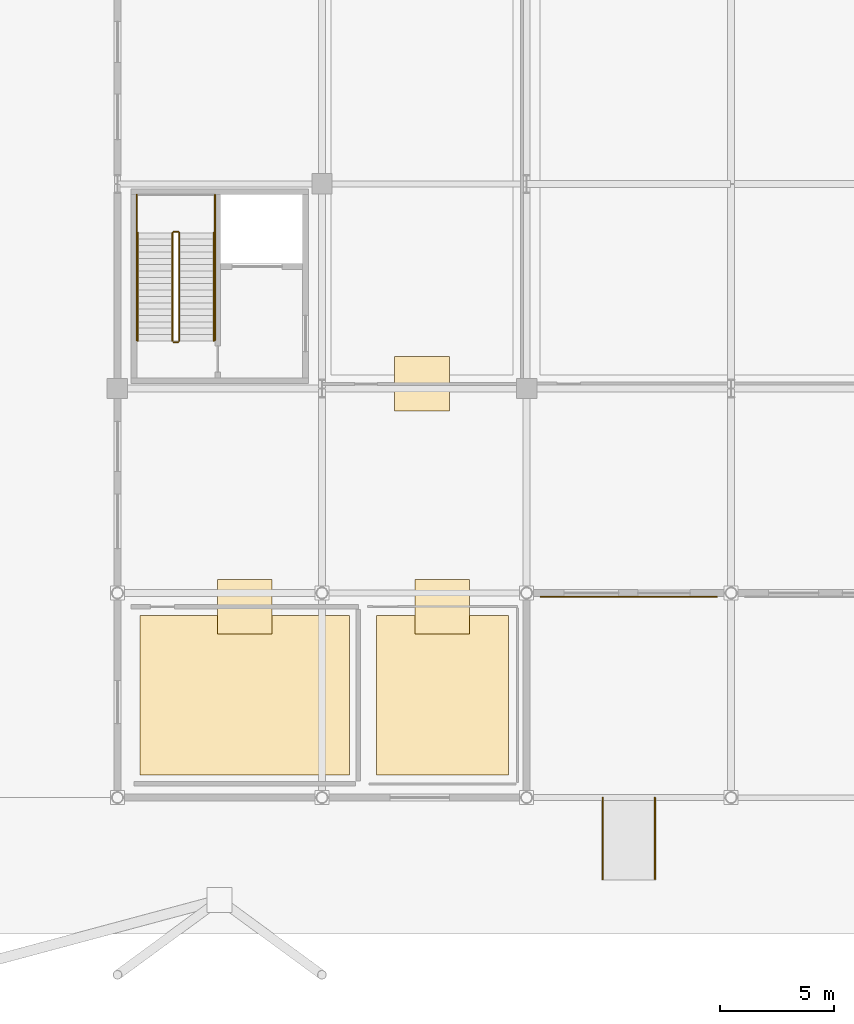
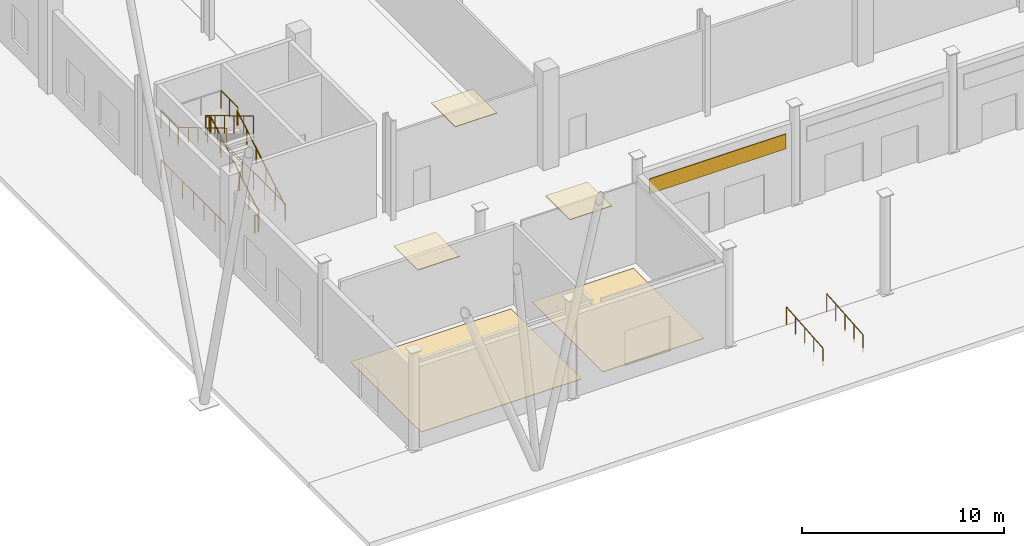
# One storey, part 42 of 58: 12 railings, 6 coverings.
"""IFC4 building model written with IfcOpenShell, lengths in metres."""

from ifc_helpers import new_model, si_unit, direction, frame, origin, origin_2d, place, context, subcontext, project, spatial, polyline, rectangle, circle, outline, extrude, material, layer, layer_set, type_object, element, save


model = new_model("IFC4")

# Units and contexts
model_context = context("Model", 3, precision=1e-05, world=origin(), true_north=direction((0.0, 1.0)))
body_context = subcontext(model_context, "Body", "Model", "MODEL_VIEW")
ifc_project = project(units=[si_unit("LENGTHUNIT", "METRE"), si_unit("AREAUNIT", "SQUARE_METRE"), si_unit("VOLUMEUNIT", "CUBIC_METRE"), si_unit("PLANEANGLEUNIT", "RADIAN"), si_unit("MASSUNIT", "GRAM", prefix="KILO")], contexts=[model_context])

# Site, building, storey
site_placement = place(None, origin())
site = spatial("IfcSite", under=ifc_project, at=site_placement, CompositionType="ELEMENT")
building_placement = place(site_placement, origin())
building = spatial("IfcBuilding", under=site, at=building_placement, Name="Barlavento Convention Centre", CompositionType="ELEMENT")
storey_placement = place(building_placement, origin())
storey = spatial("IfcBuildingStorey", under=building, at=storey_placement, Name="L00", CompositionType="ELEMENT", Elevation=0.0)

# Coverings
ifc_material_1 = material(Name="Perforated mineral-fibre acoustic board")
ifc_layer_1 = layer(ifc_material_1, 0.0400390625)
ifc_layer_set_1 = layer_set([ifc_layer_1], Name="ARC-COV-CEIL-ACOU")
covering_type_1 = type_object("IfcCoveringType", Name="ARC-COV-CEIL-ACOU", PredefinedType="CEILING", material=ifc_layer_set_1)
covering_1_placement = place(storey_placement, frame((0.0, 0.0, 4.85009765625)))
element("IfcCovering", 1, at=covering_1_placement, inside=storey, type_object=covering_type_1, Name="L00 acoustic ceiling panel", PredefinedType="CEILING", context=body_context, shape_type="SweptSolid", body=[
    extrude(outline(polyline([(4.39990234375, 7.199951171875), (6.800048828125, 7.199951171875), (6.800048828125, 9.60009765625), (4.39990234375, 9.60009765625), (4.39990234375, 7.199951171875)])), origin(), (0.0, 0.0, 1.0), 0.039794921875),
])
covering_2_placement = place(storey_placement, frame((0.0, 0.0, 4.85009765625)))
element("IfcCovering", 2, at=covering_2_placement, inside=storey, type_object=covering_type_1, Name="L00 acoustic ceiling panel", PredefinedType="CEILING", context=body_context, shape_type="SweptSolid", body=[
    extrude(outline(polyline([(13.10009765625, 7.199951171875), (15.5, 7.199951171875), (15.5, 9.60009765625), (13.10009765625, 9.60009765625), (13.10009765625, 7.199951171875)])), origin(), (0.0, 0.0, 1.0), 0.039794921875),
])
covering_3_placement = place(storey_placement, frame((0.0, 0.0, 4.85009765625)))
element("IfcCovering", 3, at=covering_3_placement, inside=storey, type_object=covering_type_1, Name="L00 acoustic ceiling panel", PredefinedType="CEILING", context=body_context, shape_type="SweptSolid", body=[
    extrude(outline(polyline([(12.199951171875, 17.0), (14.60009765625, 17.0), (14.60009765625, 19.39990234375), (12.199951171875, 19.39990234375), (12.199951171875, 17.0)])), origin(), (0.0, 0.0, 1.0), 0.039794921875),
])
ifc_material_2 = material(Name="Macau dark grey granite cladding", Category="masonry")
ifc_layer_2 = layer(ifc_material_2, 0.050048828125)
ifc_layer_set_2 = layer_set([ifc_layer_2], Name="ARC-COV-CLAD-GRANITE")
covering_type_2 = type_object("IfcCoveringType", Name="ARC-COV-CLAD-GRANITE", PredefinedType="CLADDING", material=ifc_layer_set_2)
covering_4_placement = place(storey_placement, frame((22.5, 8.830078125, 3.550048828125), z_axis=(0.0, 0.0, 1.0), x_axis=(1.0, 0.0, 0.0)))
element("IfcCovering", 4, at=covering_4_placement, inside=storey, type_object=covering_type_2, Name="Macau granite plinth cladding panel", PredefinedType="CLADDING", context=body_context, shape_type="SweptSolid", body=[
    extrude(rectangle(XDim=7.800048828125, YDim=0.050048828125, at=origin_2d()), origin(), (0.0, 0.0, 1.0), 0.89990234375),
])
ifc_material_3 = material(Name="Honed granite concourse stone flooring", Category="masonry")
ifc_layer_3 = layer(ifc_material_3, 0.030029296875)
ifc_layer_set_3 = layer_set([ifc_layer_3], Name="ARC-COV-FLR-STONE")
covering_type_3 = type_object("IfcCoveringType", Name="ARC-COV-FLR-STONE", PredefinedType="FLOORING", material=ifc_layer_set_3)
covering_5_placement = place(storey_placement, origin())
element("IfcCovering", 5, at=covering_5_placement, inside=storey, type_object=covering_type_3, Name="L00 honed stone floor finish", PredefinedType="FLOORING", context=body_context, shape_type="SweptSolid", body=[
    extrude(outline(polyline([(10.199951171875, 1.0), (1.0, 1.0), (1.0, 8.0), (10.199951171875, 8.0), (10.199951171875, 1.0)])), origin(), (0.0, 0.0, 1.0), 0.030029296875),
])
covering_6_placement = place(storey_placement, origin())
element("IfcCovering", 6, at=covering_6_placement, inside=storey, type_object=covering_type_3, Name="L00 honed stone floor finish", PredefinedType="FLOORING", context=body_context, shape_type="SweptSolid", body=[
    extrude(outline(polyline([(17.199951171875, 1.0), (11.39990234375, 1.0), (11.39990234375, 8.0), (17.199951171875, 8.0), (17.199951171875, 1.0)])), origin(), (0.0, 0.0, 1.0), 0.030029296875),
])

# Railings
ifc_material_4 = material(Name="Stainless steel and laminated glass balustrade", Category="steel")
railing_type_1 = type_object("IfcRailingType", Name="ARC-RAL-BAL-1100", PredefinedType="BALUSTRADE", material=ifc_material_4)
railing_1_placement = place(storey_placement, frame((2.719970703125, 20.090087890625, 0.166748046875)))
element("IfcRailing", 7, at=railing_1_placement, inside=storey, type_object=railing_type_1, Name="L00 ST01 stair guard 1", PredefinedType="BALUSTRADE", context=body_context, shape_type="SweptSolid", body=[
    extrude(circle(Radius=0.02392578125, at=origin_2d()), frame((0.0, 0.0, 1.076171875), z_axis=(0.0, 0.859299802514, 0.511472237174), x_axis=(-1.0, 0.0, 0.0)), (0.0, 0.0, 1.0), 5.539306640625),
    extrude(circle(Radius=0.02099609375, at=origin_2d()), origin(), (0.0, 0.0, 1.0), 1.052001953125),
    extrude(circle(Radius=0.02099609375, at=origin_2d()), frame((0.0, 0.951904296875, 0.566650390625)), (0.0, 0.0, 1.0), 1.052001953125),
    extrude(circle(Radius=0.02099609375, at=origin_2d()), frame((0.0, 1.904052734375, 1.13330078125)), (0.0, 0.0, 1.0), 1.052001953125),
    extrude(circle(Radius=0.02099609375, at=origin_2d()), frame((0.0, 2.85595703125, 1.699951171875)), (0.0, 0.0, 1.0), 1.052001953125),
    extrude(circle(Radius=0.02099609375, at=origin_2d()), frame((0.0, 3.80810546875, 2.2666015625)), (0.0, 0.0, 1.0), 1.052001953125),
    extrude(circle(Radius=0.02099609375, at=origin_2d()), frame((0.0, 4.760009765625, 2.833251953125)), (0.0, 0.0, 1.0), 1.052001953125),
])
railing_2_placement = place(storey_placement, frame((2.669921875, 24.89990234375, 3.0)))
element("IfcRailing", 8, at=railing_2_placement, inside=storey, type_object=railing_type_1, Name="L00 ST01 stair guard 2", PredefinedType="BALUSTRADE", context=body_context, shape_type="SweptSolid", body=[
    extrude(circle(Radius=0.02392578125, at=origin_2d()), frame((0.0, 0.0, 1.076171875), z_axis=(-1.0, 0.0, 0.0), x_axis=(0.0, -1.0, 0.0)), (0.0, 0.0, 1.0), 0.199951171875),
    extrude(circle(Radius=0.02099609375, at=origin_2d()), origin(), (0.0, 0.0, 1.0), 1.052001953125),
    extrude(circle(Radius=0.02099609375, at=origin_2d()), frame((-0.199951171875, 0.0, 0.0)), (0.0, 0.0, 1.0), 1.052001953125),
])
railing_3_placement = place(storey_placement, frame((2.419921875, 24.85009765625, 3.166748046875)))
element("IfcRailing", 9, at=railing_3_placement, inside=storey, type_object=railing_type_1, Name="L00 ST01 stair guard 3", PredefinedType="BALUSTRADE", context=body_context, shape_type="SweptSolid", body=[
    extrude(circle(Radius=0.02392578125, at=origin_2d()), frame((0.0, 0.0, 1.076171875), z_axis=(0.0, -0.859299802514, 0.511472237174), x_axis=(1.0, 0.0, 0.0)), (0.0, 0.0, 1.0), 5.539306640625),
    extrude(circle(Radius=0.02099609375, at=origin_2d()), origin(), (0.0, 0.0, 1.0), 1.052001953125),
    extrude(circle(Radius=0.02099609375, at=origin_2d()), frame((0.0, -0.951904296875, 0.566650390625)), (0.0, 0.0, 1.0), 1.052001953125),
    extrude(circle(Radius=0.02099609375, at=origin_2d()), frame((0.0, -1.904052734375, 1.13330078125)), (0.0, 0.0, 1.0), 1.052001953125),
    extrude(circle(Radius=0.02099609375, at=origin_2d()), frame((0.0, -2.85595703125, 1.699951171875)), (0.0, 0.0, 1.0), 1.052001953125),
    extrude(circle(Radius=0.02099609375, at=origin_2d()), frame((0.0, -3.80810546875, 2.2666015625)), (0.0, 0.0, 1.0), 1.052001953125),
    extrude(circle(Radius=0.02099609375, at=origin_2d()), frame((0.0, -4.760009765625, 2.833251953125)), (0.0, 0.0, 1.0), 1.052001953125),
])
railing_4_placement = place(storey_placement, frame((2.669921875, 20.0400390625, 0.0)))
element("IfcRailing", 10, at=railing_4_placement, inside=storey, type_object=railing_type_1, Name="L00 ST01 stair guard 4", PredefinedType="BALUSTRADE", context=body_context, shape_type="SweptSolid", body=[
    extrude(circle(Radius=0.02392578125, at=origin_2d()), frame((0.0, 0.0, 1.076171875), z_axis=(-1.0, 0.0, 0.0), x_axis=(0.0, -1.0, 0.0)), (0.0, 0.0, 1.0), 0.199951171875),
    extrude(circle(Radius=0.02099609375, at=origin_2d()), origin(), (0.0, 0.0, 1.0), 1.052001953125),
    extrude(circle(Radius=0.02099609375, at=origin_2d()), frame((-0.199951171875, 0.0, 0.0)), (0.0, 0.0, 1.0), 1.052001953125),
])
for number, where, name in (
    (11, (4.2900390625, 24.85009765625, 3.0), "L00 landing guard GR01"),
    (12, (0.85009765625, 24.85009765625, 3.0), "L00 landing guard GR01"),
):
    element("IfcRailing", number, at=place(storey_placement, frame(where)), inside=storey, type_object=railing_type_1, Name=name, PredefinedType="BALUSTRADE", context=body_context, shape_type="SweptSolid", body=[
        extrude(circle(Radius=0.02392578125, at=origin_2d()), frame((0.0, 0.0, 1.076171875), z_axis=(0.0, 1.0, 0.0), x_axis=(-1.0, 0.0, 0.0)), (0.0, 0.0, 1.0), 1.679931640625),
        extrude(circle(Radius=0.02099609375, at=origin_2d()), origin(), (0.0, 0.0, 1.0), 1.052001953125),
        extrude(circle(Radius=0.02099609375, at=origin_2d()), frame((0.0, 0.83984375, 0.0)), (0.0, 0.0, 1.0), 1.052001953125),
        extrude(circle(Radius=0.02099609375, at=origin_2d()), frame((0.0, 1.679931640625, 0.0)), (0.0, 0.0, 1.0), 1.052001953125),
    ])
railing_5_placement = place(storey_placement, frame((4.2900390625, 20.114990234375, 0.0)))
element("IfcRailing", 13, at=railing_5_placement, inside=storey, type_object=railing_type_1, Name="L00 stairwell perimeter guard GR01", PredefinedType="BALUSTRADE", context=body_context, shape_type="SweptSolid", body=[
    extrude(circle(Radius=0.02392578125, at=origin_2d()), frame((0.0, 0.0, 1.076171875), z_axis=(0.0, 1.0, 0.0), x_axis=(-1.0, 0.0, 0.0)), (0.0, 0.0, 1.0), 6.4150390625),
    extrude(circle(Radius=0.02099609375, at=origin_2d()), origin(), (0.0, 0.0, 1.0), 1.052001953125),
    extrude(circle(Radius=0.02099609375, at=origin_2d()), frame((0.0, 1.069091796875, 0.0)), (0.0, 0.0, 1.0), 1.052001953125),
    extrude(circle(Radius=0.02099609375, at=origin_2d()), frame((0.0, 2.138427734375, 0.0)), (0.0, 0.0, 1.0), 1.052001953125),
    extrude(circle(Radius=0.02099609375, at=origin_2d()), frame((0.0, 3.20751953125, 0.0)), (0.0, 0.0, 1.0), 1.052001953125),
    extrude(circle(Radius=0.02099609375, at=origin_2d()), frame((0.0, 4.276611328125, 0.0)), (0.0, 0.0, 1.0), 1.052001953125),
    extrude(circle(Radius=0.02099609375, at=origin_2d()), frame((0.0, 5.345947265625, 0.0)), (0.0, 0.0, 1.0), 1.052001953125),
    extrude(circle(Radius=0.02099609375, at=origin_2d()), frame((0.0, 6.4150390625, 0.0)), (0.0, 0.0, 1.0), 1.052001953125),
])
railing_6_placement = place(storey_placement, frame((0.85009765625, 26.530029296875, 0.0)))
element("IfcRailing", 14, at=railing_6_placement, inside=storey, type_object=railing_type_1, Name="L00 stairwell perimeter guard GR01", PredefinedType="BALUSTRADE", context=body_context, shape_type="SweptSolid", body=[
    extrude(circle(Radius=0.02392578125, at=origin_2d()), frame((0.0, 0.0, 1.076171875), z_axis=(0.0, -1.0, 0.0), x_axis=(1.0, 0.0, 0.0)), (0.0, 0.0, 1.0), 6.4150390625),
    extrude(circle(Radius=0.02099609375, at=origin_2d()), origin(), (0.0, 0.0, 1.0), 1.052001953125),
    extrude(circle(Radius=0.02099609375, at=origin_2d()), frame((0.0, -1.069091796875, 0.0)), (0.0, 0.0, 1.0), 1.052001953125),
    extrude(circle(Radius=0.02099609375, at=origin_2d()), frame((0.0, -2.138427734375, 0.0)), (0.0, 0.0, 1.0), 1.052001953125),
    extrude(circle(Radius=0.02099609375, at=origin_2d()), frame((0.0, -3.20751953125, 0.0)), (0.0, 0.0, 1.0), 1.052001953125),
    extrude(circle(Radius=0.02099609375, at=origin_2d()), frame((0.0, -4.276611328125, 0.0)), (0.0, 0.0, 1.0), 1.052001953125),
    extrude(circle(Radius=0.02099609375, at=origin_2d()), frame((0.0, -5.345947265625, 0.0)), (0.0, 0.0, 1.0), 1.052001953125),
    extrude(circle(Radius=0.02099609375, at=origin_2d()), frame((0.0, -6.4150390625, 0.0)), (0.0, 0.0, 1.0), 1.052001953125),
])
ifc_material_5 = material(Name="Brushed stainless steel tubular handrail", Category="steel")
railing_type_2 = type_object("IfcRailingType", Name="ARC-RAL-HR-900", PredefinedType="HANDRAIL", material=ifc_material_5)
railing_7_placement = place(storey_placement, frame((4.239990234375, 20.090087890625, 0.166748046875)))
element("IfcRailing", 15, at=railing_7_placement, inside=storey, type_object=railing_type_2, Name="L00 ST01 stair handrail 1", PredefinedType="HANDRAIL", context=body_context, shape_type="SweptSolid", body=[
    extrude(circle(Radius=0.02392578125, at=origin_2d()), frame((0.0, 0.0, 0.8759765625), z_axis=(0.0, 0.859299802514, 0.511472237174), x_axis=(-1.0, 0.0, 0.0)), (0.0, 0.0, 1.0), 5.539306640625),
    extrude(circle(Radius=0.02099609375, at=origin_2d()), origin(), (0.0, 0.0, 1.0), 0.851806640625),
    extrude(circle(Radius=0.02099609375, at=origin_2d()), frame((0.0, 0.951904296875, 0.566650390625)), (0.0, 0.0, 1.0), 0.851806640625),
    extrude(circle(Radius=0.02099609375, at=origin_2d()), frame((0.0, 1.904052734375, 1.13330078125)), (0.0, 0.0, 1.0), 0.851806640625),
    extrude(circle(Radius=0.02099609375, at=origin_2d()), frame((0.0, 2.85595703125, 1.699951171875)), (0.0, 0.0, 1.0), 0.851806640625),
    extrude(circle(Radius=0.02099609375, at=origin_2d()), frame((0.0, 3.80810546875, 2.2666015625)), (0.0, 0.0, 1.0), 0.851806640625),
    extrude(circle(Radius=0.02099609375, at=origin_2d()), frame((0.0, 4.760009765625, 2.833251953125)), (0.0, 0.0, 1.0), 0.851806640625),
])
railing_8_placement = place(storey_placement, frame((0.89990234375, 24.85009765625, 3.166748046875)))
element("IfcRailing", 16, at=railing_8_placement, inside=storey, type_object=railing_type_2, Name="L00 ST01 stair handrail 2", PredefinedType="HANDRAIL", context=body_context, shape_type="SweptSolid", body=[
    extrude(circle(Radius=0.02392578125, at=origin_2d()), frame((0.0, 0.0, 0.8759765625), z_axis=(0.0, -0.859299802514, 0.511472237174), x_axis=(1.0, 0.0, 0.0)), (0.0, 0.0, 1.0), 5.539306640625),
    extrude(circle(Radius=0.02099609375, at=origin_2d()), origin(), (0.0, 0.0, 1.0), 0.851806640625),
    extrude(circle(Radius=0.02099609375, at=origin_2d()), frame((0.0, -0.951904296875, 0.566650390625)), (0.0, 0.0, 1.0), 0.851806640625),
    extrude(circle(Radius=0.02099609375, at=origin_2d()), frame((0.0, -1.904052734375, 1.13330078125)), (0.0, 0.0, 1.0), 0.851806640625),
    extrude(circle(Radius=0.02099609375, at=origin_2d()), frame((0.0, -2.85595703125, 1.699951171875)), (0.0, 0.0, 1.0), 0.851806640625),
    extrude(circle(Radius=0.02099609375, at=origin_2d()), frame((0.0, -3.80810546875, 2.2666015625)), (0.0, 0.0, 1.0), 0.851806640625),
    extrude(circle(Radius=0.02099609375, at=origin_2d()), frame((0.0, -4.760009765625, 2.833251953125)), (0.0, 0.0, 1.0), 0.851806640625),
])
ifc_material_6 = material(Name="Painted galvanized steel perimeter guardrail", Category="steel")
railing_type_3 = type_object("IfcRailingType", Name="ARC-RAL-PAR-1100", PredefinedType="GUARDRAIL", material=ifc_material_6)
for number, where, name in (
    (17, (21.35009765625, -3.60009765625, -0.300048828125), "Accessible approach ramp west handrail guard GR02"),
    (18, (23.64990234375, -3.60009765625, -0.300048828125), "Accessible approach ramp east handrail guard GR02"),
):
    element("IfcRailing", number, at=place(storey_placement, frame(where)), inside=storey, type_object=railing_type_3, Name=name, PredefinedType="GUARDRAIL", context=body_context, shape_type="SweptSolid", body=[
        extrude(circle(Radius=0.02392578125, at=origin_2d()), frame((0.0, 0.0, 1.076171875), z_axis=(0.0, 0.996544826035, 0.083056665618), x_axis=(-1.0, 0.0, 0.0)), (0.0, 0.0, 1.0), 3.612548828125),
        extrude(circle(Radius=0.02099609375, at=origin_2d()), origin(), (0.0, 0.0, 1.0), 1.052001953125),
        extrude(circle(Radius=0.02099609375, at=origin_2d()), frame((0.0, 0.89990234375, 0.074951171875)), (0.0, 0.0, 1.0), 1.052001953125),
        extrude(circle(Radius=0.02099609375, at=origin_2d()), frame((0.0, 1.800048828125, 0.14990234375)), (0.0, 0.0, 1.0), 1.052001953125),
        extrude(circle(Radius=0.02099609375, at=origin_2d()), frame((0.0, 2.7001953125, 0.22509765625)), (0.0, 0.0, 1.0), 1.052001953125),
        extrude(circle(Radius=0.02099609375, at=origin_2d()), frame((0.0, 3.60009765625, 0.300048828125)), (0.0, 0.0, 1.0), 1.052001953125),
    ])

save(model, "model.ifc")
